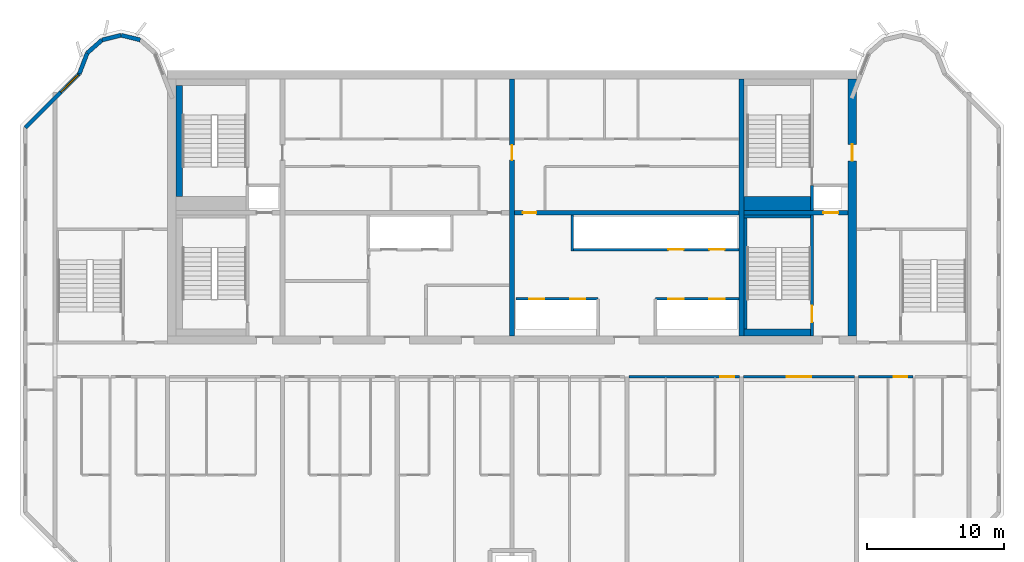
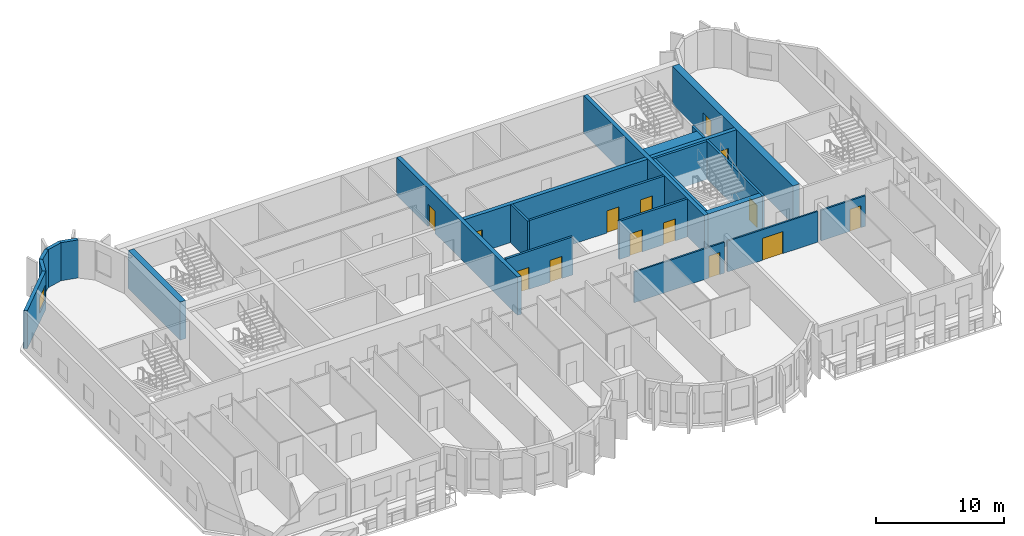
# One storey, part 6 of 11: 24 walls, 14 doors, 1 window, 15 openings.
"""IFC4 building model written with IfcOpenShell, lengths in metres."""

from ifc_helpers import new_model, si_unit, direction, frame, frame_2d, origin, place, context, subcontext, project, spatial, rectangle, extrude, source, transform, mapped, material, layer, layer_set, type_object, element, fill, save


model = new_model("IFC4")

# Units and contexts
model_context = context("Model", 3, precision=1e-05, world=origin(), true_north=direction((0.0, 1.0)))
body_context = subcontext(model_context, "Body", "Model", "MODEL_VIEW")
ifc_project = project(units=[si_unit("LENGTHUNIT", "METRE"), si_unit("AREAUNIT", "SQUARE_METRE"), si_unit("VOLUMEUNIT", "CUBIC_METRE"), si_unit("PLANEANGLEUNIT", "RADIAN"), si_unit("MASSUNIT", "GRAM", prefix="KILO")], contexts=[model_context])

# Site, building, storey
site_placement = place(None, origin())
site = spatial("IfcSite", under=ifc_project, at=site_placement, CompositionType="ELEMENT")
building_placement = place(site_placement, origin())
building = spatial("IfcBuilding", under=site, at=building_placement, Name="Vanashikhar Sky Hotel", CompositionType="ELEMENT")
storey_placement = place(building_placement, frame((0.0, 0.0, 229.60009765625)))
storey = spatial("IfcBuildingStorey", under=building, at=storey_placement, Name="L55", CompositionType="ELEMENT", Elevation=229.60009765625)

# Wall, opening, door
ifc_material_1 = material(Name="Concrete M60", Category="concrete")
ifc_layer_1 = layer(ifc_material_1, 0.60009765625)
ifc_layer_set_1 = layer_set([ifc_layer_1], Name="RC core shell wall 600 Concrete M60")
wall_type_1 = type_object("IfcWallType", Name="RC core shell wall 600 Concrete M60", PredefinedType="SHEAR", material=ifc_layer_set_1)
shared_shape_1 = source(origin(), body_context, "Body", "SweptSolid", [
    extrude(rectangle(XDim=18.7998046875, YDim=0.60009765625, at=frame_2d((9.39990234375, 0.0))), origin(), (0.0, 0.0, 1.0), 3.619873046875),
])
wall_1_placement = place(storey_placement, frame((75.300048828125, 22.60009765625, 0.0), z_axis=(0.0, 0.0, 1.0), x_axis=(0.0, 1.0, 0.0)))
wall_1 = element("IfcWall", 1, at=wall_1_placement, inside=storey, type_object=wall_type_1, Name="KW-L55-KE", PredefinedType="SHEAR", context=body_context, shape_type="MappedRepresentation", body=[
    mapped(shared_shape_1, transform((0.0, 0.0, 0.0), scale=1.0)),
])
shared_shape_2 = source(origin(), body_context, "Body", "SweptSolid", [
    extrude(rectangle(XDim=1.199951171875, YDim=2.10009765625, at=frame_2d((0.60009765625, 1.050048828125))), frame((0.0, 0.31005859375, 0.0), z_axis=(0.0, -1.0, 0.0), x_axis=(1.0, 0.0, 0.0)), (0.0, 0.0, 1.0), 0.6201171875),
])
opening_1_placement = place(wall_1_placement, frame((12.800048828125, 0.0, 0.0)))
opening_1 = element("IfcOpeningElement", 2, at=opening_1_placement, cuts=wall_1, Name="Opening DC-4-D", PredefinedType="OPENING", context=body_context, shape_type="MappedRepresentation", body=[
    mapped(shared_shape_2, transform((0.0, 0.0, 0.0), scale=1.0)),
])
ifc_material_2 = material(Name="Steel", Category="steel")
door_type_1 = type_object("IfcDoorType", Name="Service door 1200 FD120", OperationType="NOTDEFINED", PredefinedType="DOOR", material=ifc_material_2)
shared_shape_3 = source(origin(), body_context, "Body", "SweptSolid", [
    extrude(rectangle(XDim=1.199951171875, YDim=2.10009765625, at=frame_2d((0.60009765625, 1.050048828125))), frame((0.0, 0.02490234375, 0.0), z_axis=(0.0, -1.0, 0.0), x_axis=(1.0, 0.0, 0.0)), (0.0, 0.0, 1.0), 0.050048828125),
])
door_1_placement = place(opening_1_placement, origin())
door_1 = element("IfcDoor", 3, at=door_1_placement, inside=storey, type_object=door_type_1, Name="Service door 1200 FD120", OperationType="SINGLE_SWING_RIGHT", OverallHeight=2.10009765625, OverallWidth=1.199951171875, PredefinedType="DOOR", context=body_context, shape_type="MappedRepresentation", body=[
    mapped(shared_shape_3, transform((0.0, 0.0, 0.0), scale=1.0)),
])
fill(opening_1, door_1)

ifc_layer_2 = layer(ifc_material_1, 0.35009765625)
ifc_layer_set_2 = layer_set([ifc_layer_2], Name="RC core inner wall 350 Concrete M60")
wall_type_2 = type_object("IfcWallType", Name="RC core inner wall 350 Concrete M60", PredefinedType="SHEAR", material=ifc_layer_set_2)
shared_shape_4 = source(origin(), body_context, "Body", "SweptSolid", [
    extrude(rectangle(XDim=18.7998046875, YDim=0.35009765625, at=frame_2d((9.39990234375, 0.0))), origin(), (0.0, 0.0, 1.0), 3.619873046875),
])
wall_2_placement = place(storey_placement, frame((50.39990234375, 22.60009765625, 0.0), z_axis=(0.0, 0.0, 1.0), x_axis=(0.0, 1.0, 0.0)))
wall_2 = element("IfcWall", 4, at=wall_2_placement, inside=storey, type_object=wall_type_2, Name="KW-L55-KX2", PredefinedType="SHEAR", context=body_context, shape_type="MappedRepresentation", body=[
    mapped(shared_shape_4, transform((0.0, 0.0, 0.0), scale=1.0)),
])
shared_shape_5 = source(origin(), body_context, "Body", "SweptSolid", [
    extrude(rectangle(XDim=1.10009765625, YDim=2.10009765625, at=frame_2d((0.550048828125, 1.050048828125))), frame((0.0, 0.18505859375, 0.0), z_axis=(0.0, -1.0, 0.0), x_axis=(1.0, 0.0, 0.0)), (0.0, 0.0, 1.0), 0.3701171875),
])
opening_2_placement = place(wall_2_placement, frame((12.85009765625, 0.0, 0.0)))
opening_2 = element("IfcOpeningElement", 5, at=opening_2_placement, cuts=wall_2, Name="Opening DC-4-C", PredefinedType="OPENING", context=body_context, shape_type="MappedRepresentation", body=[
    mapped(shared_shape_5, transform((0.0, 0.0, 0.0), scale=1.0)),
])
door_type_2 = type_object("IfcDoorType", Name="Service door 1100 FD60", OperationType="NOTDEFINED", PredefinedType="DOOR", material=ifc_material_2)
shared_shape_6 = source(origin(), body_context, "Body", "SweptSolid", [
    extrude(rectangle(XDim=1.10009765625, YDim=2.10009765625, at=frame_2d((0.550048828125, 1.050048828125))), frame((0.0, 0.02490234375, 0.0), z_axis=(0.0, -1.0, 0.0), x_axis=(1.0, 0.0, 0.0)), (0.0, 0.0, 1.0), 0.050048828125),
])
door_2_placement = place(opening_2_placement, origin())
door_2 = element("IfcDoor", 6, at=door_2_placement, inside=storey, type_object=door_type_2, Name="Service door 1100 FD60", OperationType="SINGLE_SWING_LEFT", OverallHeight=2.10009765625, OverallWidth=1.10009765625, PredefinedType="DOOR", context=body_context, shape_type="MappedRepresentation", body=[
    mapped(shared_shape_6, transform((0.0, 0.0, 0.0), scale=1.0)),
])
fill(opening_2, door_2)

# Wall
wall_3_placement = place(storey_placement, frame((67.199951171875, 22.60009765625, 0.0), z_axis=(0.0, 0.0, 1.0), x_axis=(0.0, 1.0, 0.0)))
element("IfcWall", 7, at=wall_3_placement, inside=storey, type_object=wall_type_2, Name="KW-L55-KX3", PredefinedType="SHEAR", context=body_context, shape_type="MappedRepresentation", body=[
    mapped(shared_shape_4, transform((0.0, 0.0, 0.0), scale=1.0)),
])

# Wall, opening, door
shared_shape_7 = source(origin(), body_context, "Body", "SweptSolid", [
    extrude(rectangle(XDim=7.625, YDim=0.35009765625, at=frame_2d((3.8125, 0.0))), origin(), (0.0, 0.0, 1.0), 3.619873046875),
])
wall_4_placement = place(storey_placement, frame((67.375, 31.60009765625, 0.0), z_axis=(0.0, 0.0, 1.0), x_axis=(1.0, 0.0, 0.0)))
wall_4 = element("IfcWall", 8, at=wall_4_placement, inside=storey, type_object=wall_type_2, Name="KW-L55-KY4", PredefinedType="SHEAR", context=body_context, shape_type="MappedRepresentation", body=[
    mapped(shared_shape_7, transform((0.0, 0.0, 0.0), scale=1.0)),
])
opening_3_placement = place(wall_4_placement, frame((5.800048828125, 0.0, 0.0)))
opening_3 = element("IfcOpeningElement", 9, at=opening_3_placement, cuts=wall_4, Name="Opening LD", PredefinedType="OPENING", context=body_context, shape_type="MappedRepresentation", body=[
    mapped(shared_shape_5, transform((0.0, 0.0, 0.0), scale=1.0)),
])
ifc_material_3 = material(Name="Stainless steel", Category="steel")
door_type_3 = type_object("IfcDoorType", Name="Lift landing door 1100", OperationType="NOTDEFINED", PredefinedType="DOOR", material=ifc_material_3)
door_3_placement = place(opening_3_placement, origin())
door_3 = element("IfcDoor", 10, at=door_3_placement, inside=storey, type_object=door_type_3, Name="Lift landing door 1100", OperationType="SLIDING_TO_LEFT", OverallHeight=2.10009765625, OverallWidth=1.10009765625, PredefinedType="DOOR", context=body_context, shape_type="MappedRepresentation", body=[
    mapped(shared_shape_6, transform((0.0, 0.0, 0.0), scale=1.0)),
])
fill(opening_3, door_3)

shared_shape_8 = source(origin(), body_context, "Body", "SweptSolid", [
    extrude(rectangle(XDim=16.449951171875, YDim=0.35009765625, at=frame_2d((8.22509765625, 0.0))), origin(), (0.0, 0.0, 1.0), 3.619873046875),
])
wall_5_placement = place(storey_placement, frame((50.574951171875, 31.60009765625, 0.0), z_axis=(0.0, 0.0, 1.0), x_axis=(1.0, 0.0, 0.0)))
wall_5 = element("IfcWall", 11, at=wall_5_placement, inside=storey, type_object=wall_type_2, Name="KW-L55-KY3", PredefinedType="SHEAR", context=body_context, shape_type="MappedRepresentation", body=[
    mapped(shared_shape_8, transform((0.0, 0.0, 0.0), scale=1.0)),
])
shared_shape_9 = source(origin(), body_context, "Body", "SweptSolid", [
    extrude(rectangle(XDim=1.0, YDim=2.10009765625, at=frame_2d((0.5, 1.050048828125))), frame((0.0, 0.18505859375, 0.0), z_axis=(0.0, -1.0, 0.0), x_axis=(1.0, 0.0, 0.0)), (0.0, 0.0, 1.0), 0.3701171875),
])
opening_4_placement = place(wall_5_placement, frame((0.613037109375, 0.0, 0.0)))
opening_4 = element("IfcOpeningElement", 12, at=opening_4_placement, cuts=wall_5, Name="Opening DC-4", PredefinedType="OPENING", context=body_context, shape_type="MappedRepresentation", body=[
    mapped(shared_shape_9, transform((0.0, 0.0, 0.0), scale=1.0)),
])
door_type_4 = type_object("IfcDoorType", Name="Service door 1000 FD60", OperationType="NOTDEFINED", PredefinedType="DOOR", material=ifc_material_2)
shared_shape_10 = source(origin(), body_context, "Body", "SweptSolid", [
    extrude(rectangle(XDim=1.0, YDim=2.10009765625, at=frame_2d((0.5, 1.050048828125))), frame((0.0, 0.02490234375, 0.0), z_axis=(0.0, -1.0, 0.0), x_axis=(1.0, 0.0, 0.0)), (0.0, 0.0, 1.0), 0.050048828125),
])
door_4_placement = place(opening_4_placement, origin())
door_4 = element("IfcDoor", 13, at=door_4_placement, inside=storey, type_object=door_type_4, Name="Service door 1000 FD60", OperationType="SINGLE_SWING_RIGHT", OverallHeight=2.10009765625, OverallWidth=1.0, PredefinedType="DOOR", context=body_context, shape_type="MappedRepresentation", body=[
    mapped(shared_shape_10, transform((0.0, 0.0, 0.0), scale=1.0)),
])
fill(opening_4, door_4)

# Wall, opening, window
ifc_material_4 = material(Name="Concrete M50", Category="concrete")
ifc_layer_3 = layer(ifc_material_4, 0.300048828125)
ifc_layer_set_3 = layer_set([ifc_layer_3], Name="Lobe wall 300")
wall_type_3 = type_object("IfcWallType", Name="Lobe wall 300", PredefinedType="SOLIDWALL", material=ifc_layer_set_3)
shared_shape_11 = source(origin(), body_context, "Body", "SweptSolid", [
    extrude(rectangle(XDim=5.576416015625, YDim=0.300048828125, at=frame_2d((2.7880859375, 0.0))), origin(), (0.0, 0.0, 1.0), 3.619873046875),
])
wall_6_placement = place(storey_placement, frame((18.7431640625, 41.77734375, 0.0), z_axis=(0.0, 0.0, 1.0), x_axis=(-0.707106781187, -0.707106781187, 0.0)))
wall_6 = element("IfcWall", 14, at=wall_6_placement, inside=storey, type_object=wall_type_3, Name="Corner wall", PredefinedType="SOLIDWALL", context=body_context, shape_type="MappedRepresentation", body=[
    mapped(shared_shape_11, transform((0.0, 0.0, 0.0), scale=1.0)),
])
shared_shape_12 = source(origin(), body_context, "Body", "SweptSolid", [
    extrude(rectangle(XDim=1.800048828125, YDim=1.5, at=frame_2d((0.89990234375, 0.75))), frame((0.0, 0.16015625, 0.0), z_axis=(0.0, -1.0, 0.0), x_axis=(1.0, 0.0, 0.0)), (0.0, 0.0, 1.0), 0.320068359375),
])
opening_5_placement = place(wall_6_placement, frame((0.117919921875, 0.0, 0.89990234375)))
opening_5 = element("IfcOpeningElement", 15, at=opening_5_placement, cuts=wall_6, Name="Opening WN-4", PredefinedType="OPENING", context=body_context, shape_type="MappedRepresentation", body=[
    mapped(shared_shape_12, transform((0.0, 0.0, 0.0), scale=1.0)),
])
ifc_material_5 = material(Name="Glass", Category="glass")
window_type = type_object("IfcWindowType", Name="Corner window 1800 x 1500", PartitioningType="SINGLE_PANEL", PredefinedType="WINDOW", material=ifc_material_5)
shared_shape_13 = source(origin(), body_context, "Body", "SweptSolid", [
    extrude(rectangle(XDim=1.800048828125, YDim=1.5, at=frame_2d((0.89990234375, 0.75))), frame((0.0, 0.030029296875, 0.0), z_axis=(0.0, -1.0, 0.0), x_axis=(1.0, 0.0, 0.0)), (0.0, 0.0, 1.0), 0.06005859375),
])
window_placement = place(opening_5_placement, origin())
window = element("IfcWindow", 16, at=window_placement, inside=storey, type_object=window_type, Name="Window WN-4", OverallHeight=1.5, OverallWidth=1.800048828125, PartitioningType="SINGLE_PANEL", PredefinedType="WINDOW", context=body_context, shape_type="MappedRepresentation", body=[
    mapped(shared_shape_13, transform((0.0, 0.0, 0.0), scale=1.0)),
])
fill(opening_5, window)

# Walls
shared_shape_14 = source(origin(), body_context, "Body", "SweptSolid", [
    extrude(rectangle(XDim=1.4384765625, YDim=0.300048828125, at=frame_2d((0.71923828125, 0.0))), origin(), (0.0, 0.0, 1.0), 3.619873046875),
])
wall_7_placement = place(storey_placement, frame((23.197021484375, 44.2451171875, 0.0), z_axis=(0.0, 0.0, 1.0), x_axis=(-0.971152283879, 0.238460146601, 0.0)))
element("IfcWall", 17, at=wall_7_placement, inside=storey, type_object=wall_type_3, Name="Lobe wall", PredefinedType="SOLIDWALL", context=body_context, shape_type="MappedRepresentation", body=[
    mapped(shared_shape_14, transform((0.0, 0.0, 0.0), scale=1.0)),
])
shared_shape_15 = source(origin(), body_context, "Body", "SweptSolid", [
    extrude(rectangle(XDim=1.438720703125, YDim=0.300048828125, at=frame_2d((0.71923828125, 0.0))), origin(), (0.0, 0.0, 1.0), 3.619873046875),
])
wall_8_placement = place(storey_placement, frame((21.800048828125, 44.588134765625, 0.0), z_axis=(0.0, 0.0, 1.0), x_axis=(-0.971161932466, -0.238420848351, 0.0)))
element("IfcWall", 18, at=wall_8_placement, inside=storey, type_object=wall_type_3, Name="Lobe wall", PredefinedType="SOLIDWALL", context=body_context, shape_type="MappedRepresentation", body=[
    mapped(shared_shape_15, transform((0.0, 0.0, 0.0), scale=1.0)),
])
shared_shape_16 = source(origin(), body_context, "Body", "SweptSolid", [
    extrude(rectangle(XDim=1.43994140625, YDim=0.300048828125, at=frame_2d((0.719970703125, 0.0))), origin(), (0.0, 0.0, 1.0), 3.619873046875),
])
wall_9_placement = place(storey_placement, frame((20.40283203125, 44.2451171875, 0.0), z_axis=(0.0, 0.0, 1.0), x_axis=(-0.74957555648, -0.661918790432, 0.0)))
element("IfcWall", 19, at=wall_9_placement, inside=storey, type_object=wall_type_3, Name="Lobe wall", PredefinedType="SOLIDWALL", context=body_context, shape_type="MappedRepresentation", body=[
    mapped(shared_shape_16, transform((0.0, 0.0, 0.0), scale=1.0)),
])
shared_shape_17 = source(origin(), body_context, "Body", "SweptSolid", [
    extrude(rectangle(XDim=1.6220703125, YDim=0.300048828125, at=frame_2d((0.81103515625, 0.0))), origin(), (0.0, 0.0, 1.0), 3.619873046875),
])
wall_10_placement = place(storey_placement, frame((19.323486328125, 43.2919921875, 0.0), z_axis=(0.0, 0.0, 1.0), x_axis=(-0.357778527068, -0.933806471154, 0.0)))
element("IfcWall", 20, at=wall_10_placement, inside=storey, type_object=wall_type_3, Name="Lobe wall", PredefinedType="SOLIDWALL", context=body_context, shape_type="MappedRepresentation", body=[
    mapped(shared_shape_17, transform((0.0, 0.0, 0.0), scale=1.0)),
])

# Wall, openings, doors
ifc_material_6 = material(Name="Concrete M40", Category="concrete")
ifc_layer_4 = layer(ifc_material_6, 0.199951171875)
ifc_layer_set_4 = layer_set([ifc_layer_4], Name="Shaft wall 200")
wall_type_4 = type_object("IfcWallType", Name="Shaft wall 200", PredefinedType="SOLIDWALL", material=ifc_layer_set_4)
shared_shape_18 = source(origin(), body_context, "Body", "SweptSolid", [
    extrude(rectangle(XDim=6.0, YDim=0.199951171875, at=frame_2d((3.0, 0.0))), origin(), (0.0, 0.0, 1.0), 3.619873046875),
])
wall_11_placement = place(storey_placement, frame((56.699951171875, 25.300048828125, 0.0), z_axis=(0.0, 0.0, 1.0), x_axis=(-1.0, 0.0, 0.0)))
wall_11 = element("IfcWall", 21, at=wall_11_placement, inside=storey, type_object=wall_type_4, Name="Shaft wall 200", PredefinedType="SOLIDWALL", context=body_context, shape_type="MappedRepresentation", body=[
    mapped(shared_shape_18, transform((0.0, 0.0, 0.0), scale=1.0)),
])
shared_shape_19 = source(origin(), body_context, "Body", "SweptSolid", [
    extrude(rectangle(XDim=1.10009765625, YDim=2.10009765625, at=frame_2d((0.550048828125, 1.050048828125))), frame((0.0, 0.10986328125, 0.0), z_axis=(0.0, -1.0, 0.0), x_axis=(1.0, 0.0, 0.0)), (0.0, 0.0, 1.0), 0.219970703125),
])
opening_6_placement = place(wall_11_placement, frame((0.949951171875, 0.0, 0.0)))
opening_6 = element("IfcOpeningElement", 22, at=opening_6_placement, cuts=wall_11, Name="Opening LD", PredefinedType="OPENING", context=body_context, shape_type="MappedRepresentation", body=[
    mapped(shared_shape_19, transform((0.0, 0.0, 0.0), scale=1.0)),
])
opening_7_placement = place(wall_11_placement, frame((3.949951171875, 0.0, 0.0)))
opening_7 = element("IfcOpeningElement", 23, at=opening_7_placement, cuts=wall_11, Name="Opening LD", PredefinedType="OPENING", context=body_context, shape_type="MappedRepresentation", body=[
    mapped(shared_shape_19, transform((0.0, 0.0, 0.0), scale=1.0)),
])
door_5_placement = place(opening_6_placement, origin())
door_5 = element("IfcDoor", 24, at=door_5_placement, inside=storey, type_object=door_type_3, Name="Lift landing door 1100", OperationType="SLIDING_TO_RIGHT", OverallHeight=2.10009765625, OverallWidth=1.10009765625, PredefinedType="DOOR", context=body_context, shape_type="MappedRepresentation", body=[
    mapped(shared_shape_6, transform((0.0, 0.0, 0.0), scale=1.0)),
])
fill(opening_6, door_5)
door_6_placement = place(opening_7_placement, origin())
door_6 = element("IfcDoor", 25, at=door_6_placement, inside=storey, type_object=door_type_3, Name="Lift landing door 1100", OperationType="SLIDING_TO_LEFT", OverallHeight=2.10009765625, OverallWidth=1.10009765625, PredefinedType="DOOR", context=body_context, shape_type="MappedRepresentation", body=[
    mapped(shared_shape_6, transform((0.0, 0.0, 0.0), scale=1.0)),
])
fill(opening_7, door_6)

# Wall
shared_shape_20 = source(origin(), body_context, "Body", "SweptSolid", [
    extrude(rectangle(XDim=2.625, YDim=0.199951171875, at=frame_2d((1.3125, 0.0))), origin(), (0.0, 0.0, 1.0), 3.619873046875),
])
wall_12_placement = place(storey_placement, frame((54.800048828125, 28.800048828125, 0.0), z_axis=(0.0, 0.0, 1.0), x_axis=(0.0, 1.0, 0.0)))
element("IfcWall", 26, at=wall_12_placement, inside=storey, type_object=wall_type_4, Name="Shaft wall 200", PredefinedType="SOLIDWALL", context=body_context, shape_type="MappedRepresentation", body=[
    mapped(shared_shape_20, transform((0.0, 0.0, 0.0), scale=1.0)),
])

# Wall, openings, doors
shared_shape_21 = source(origin(), body_context, "Body", "SweptSolid", [
    extrude(rectangle(XDim=6.125, YDim=0.199951171875, at=frame_2d((3.0625, 0.0))), origin(), (0.0, 0.0, 1.0), 3.619873046875),
])
wall_13_placement = place(storey_placement, frame((67.02490234375, 25.300048828125, 0.0), z_axis=(0.0, 0.0, 1.0), x_axis=(-1.0, 0.0, 0.0)))
wall_13 = element("IfcWall", 27, at=wall_13_placement, inside=storey, type_object=wall_type_4, Name="Shaft wall 200", PredefinedType="SOLIDWALL", context=body_context, shape_type="MappedRepresentation", body=[
    mapped(shared_shape_21, transform((0.0, 0.0, 0.0), scale=1.0)),
])
opening_8_placement = place(wall_13_placement, frame((1.074951171875, 0.0, 0.0)))
opening_8 = element("IfcOpeningElement", 28, at=opening_8_placement, cuts=wall_13, Name="Opening LD", PredefinedType="OPENING", context=body_context, shape_type="MappedRepresentation", body=[
    mapped(shared_shape_19, transform((0.0, 0.0, 0.0), scale=1.0)),
])
opening_9_placement = place(wall_13_placement, frame((4.074951171875, 0.0, 0.0)))
opening_9 = element("IfcOpeningElement", 29, at=opening_9_placement, cuts=wall_13, Name="Opening LD", PredefinedType="OPENING", context=body_context, shape_type="MappedRepresentation", body=[
    mapped(shared_shape_19, transform((0.0, 0.0, 0.0), scale=1.0)),
])
door_7_placement = place(opening_8_placement, origin())
door_7 = element("IfcDoor", 30, at=door_7_placement, inside=storey, type_object=door_type_3, Name="Lift landing door 1100", OperationType="SLIDING_TO_RIGHT", OverallHeight=2.10009765625, OverallWidth=1.10009765625, PredefinedType="DOOR", context=body_context, shape_type="MappedRepresentation", body=[
    mapped(shared_shape_6, transform((0.0, 0.0, 0.0), scale=1.0)),
])
fill(opening_8, door_7)
door_8_placement = place(opening_9_placement, origin())
door_8 = element("IfcDoor", 31, at=door_8_placement, inside=storey, type_object=door_type_3, Name="Lift landing door 1100", OperationType="SLIDING_TO_LEFT", OverallHeight=2.10009765625, OverallWidth=1.10009765625, PredefinedType="DOOR", context=body_context, shape_type="MappedRepresentation", body=[
    mapped(shared_shape_6, transform((0.0, 0.0, 0.0), scale=1.0)),
])
fill(opening_9, door_8)

shared_shape_22 = source(origin(), body_context, "Body", "SweptSolid", [
    extrude(rectangle(XDim=12.125, YDim=0.199951171875, at=frame_2d((6.0625, 0.0))), origin(), (0.0, 0.0, 1.0), 3.619873046875),
])
wall_14_placement = place(storey_placement, frame((67.02490234375, 28.89990234375, 0.0), z_axis=(0.0, 0.0, 1.0), x_axis=(-1.0, 0.0, 0.0)))
wall_14 = element("IfcWall", 32, at=wall_14_placement, inside=storey, type_object=wall_type_4, Name="Shaft wall 200", PredefinedType="SOLIDWALL", context=body_context, shape_type="MappedRepresentation", body=[
    mapped(shared_shape_22, transform((0.0, 0.0, 0.0), scale=1.0)),
])
opening_10_placement = place(wall_14_placement, frame((1.074951171875, 0.0, 0.0)))
opening_10 = element("IfcOpeningElement", 33, at=opening_10_placement, cuts=wall_14, Name="Opening LD", PredefinedType="OPENING", context=body_context, shape_type="MappedRepresentation", body=[
    mapped(shared_shape_19, transform((0.0, 0.0, 0.0), scale=1.0)),
])
opening_11_placement = place(wall_14_placement, frame((4.074951171875, 0.0, 0.0)))
opening_11 = element("IfcOpeningElement", 34, at=opening_11_placement, cuts=wall_14, Name="Opening LD", PredefinedType="OPENING", context=body_context, shape_type="MappedRepresentation", body=[
    mapped(shared_shape_19, transform((0.0, 0.0, 0.0), scale=1.0)),
])
door_9_placement = place(opening_10_placement, origin())
door_9 = element("IfcDoor", 35, at=door_9_placement, inside=storey, type_object=door_type_3, Name="Lift landing door 1100", OperationType="SLIDING_TO_RIGHT", OverallHeight=2.10009765625, OverallWidth=1.10009765625, PredefinedType="DOOR", context=body_context, shape_type="MappedRepresentation", body=[
    mapped(shared_shape_6, transform((0.0, 0.0, 0.0), scale=1.0)),
])
fill(opening_10, door_9)
door_10_placement = place(opening_11_placement, origin())
door_10 = element("IfcDoor", 36, at=door_10_placement, inside=storey, type_object=door_type_3, Name="Lift landing door 1100", OperationType="SLIDING_TO_LEFT", OverallHeight=2.10009765625, OverallWidth=1.10009765625, PredefinedType="DOOR", context=body_context, shape_type="MappedRepresentation", body=[
    mapped(shared_shape_6, transform((0.0, 0.0, 0.0), scale=1.0)),
])
fill(opening_11, door_10)

# Wall, opening, door
ifc_layer_5 = layer(ifc_material_4, 0.199951171875)
ifc_layer_set_5 = layer_set([ifc_layer_5], Name="Stair wall 200")
wall_type_5 = type_object("IfcWallType", Name="Stair wall 200", PredefinedType="SOLIDWALL", material=ifc_layer_set_5)
shared_shape_23 = source(origin(), body_context, "Body", "SweptSolid", [
    extrude(rectangle(XDim=8.824951171875, YDim=0.199951171875, at=frame_2d((4.41259765625, 0.0))), origin(), (0.0, 0.0, 1.0), 3.619873046875),
])
wall_15_placement = place(storey_placement, frame((72.35009765625, 22.60009765625, 0.0), z_axis=(0.0, 0.0, 1.0), x_axis=(0.0, 1.0, 0.0)))
wall_15 = element("IfcWall", 37, at=wall_15_placement, inside=storey, type_object=wall_type_5, Name="Stair wall 200", PredefinedType="SOLIDWALL", context=body_context, shape_type="MappedRepresentation", body=[
    mapped(shared_shape_23, transform((0.0, 0.0, 0.0), scale=1.0)),
])
shared_shape_24 = source(origin(), body_context, "Body", "SweptSolid", [
    extrude(rectangle(XDim=1.199951171875, YDim=2.10009765625, at=frame_2d((0.60009765625, 1.050048828125))), frame((0.0, 0.10986328125, 0.0), z_axis=(0.0, -1.0, 0.0), x_axis=(1.0, 0.0, 0.0)), (0.0, 0.0, 1.0), 0.219970703125),
])
opening_12_placement = place(wall_15_placement, frame((1.0, 0.0, 0.0)))
opening_12 = element("IfcOpeningElement", 38, at=opening_12_placement, cuts=wall_15, Name="Opening DC-1", PredefinedType="OPENING", context=body_context, shape_type="MappedRepresentation", body=[
    mapped(shared_shape_24, transform((0.0, 0.0, 0.0), scale=1.0)),
])
door_type_5 = type_object("IfcDoorType", Name="Stair door 1200 FD120", OperationType="NOTDEFINED", PredefinedType="DOOR", material=ifc_material_2)
door_11_placement = place(opening_12_placement, origin())
door_11 = element("IfcDoor", 39, at=door_11_placement, inside=storey, type_object=door_type_5, Name="Stair door 1200 FD120", OperationType="SINGLE_SWING_LEFT", OverallHeight=2.10009765625, OverallWidth=1.199951171875, PredefinedType="DOOR", context=body_context, shape_type="MappedRepresentation", body=[
    mapped(shared_shape_3, transform((0.0, 0.0, 0.0), scale=1.0)),
])
fill(opening_12, door_11)

# Walls
shared_shape_25 = source(origin(), body_context, "Body", "SweptSolid", [
    extrude(rectangle(XDim=1.8251953125, YDim=0.199951171875, at=frame_2d((0.91259765625, 0.0))), origin(), (0.0, 0.0, 1.0), 3.619873046875),
])
wall_16_placement = place(storey_placement, frame((72.35009765625, 31.77490234375, 0.0), z_axis=(0.0, 0.0, 1.0), x_axis=(0.0, 1.0, 0.0)))
element("IfcWall", 40, at=wall_16_placement, inside=storey, type_object=wall_type_4, Name="Shaft wall 200", PredefinedType="SOLIDWALL", context=body_context, shape_type="MappedRepresentation", body=[
    mapped(shared_shape_25, transform((0.0, 0.0, 0.0), scale=1.0)),
])
ifc_layer_6 = layer(ifc_material_4, 0.5)
ifc_layer_set_6 = layer_set([ifc_layer_6], Name="Stair infill wall 500")
wall_type_6 = type_object("IfcWallType", Name="Stair infill wall 500", PredefinedType="SOLIDWALL", material=ifc_layer_set_6)
shared_shape_26 = source(origin(), body_context, "Body", "SweptSolid", [
    extrude(rectangle(XDim=8.099853515625, YDim=0.5, at=frame_2d((4.0498046875, 0.0))), origin(), (0.0, 0.0, 1.0), 3.619873046875),
])
wall_17_placement = place(storey_placement, frame((26.050048828125, 32.800048828125, 0.0), z_axis=(0.0, 0.0, 1.0), x_axis=(0.0, 1.0, 0.0)))
element("IfcWall", 41, at=wall_17_placement, inside=storey, type_object=wall_type_6, Name="Stair infill wall 500", PredefinedType="SOLIDWALL", context=body_context, shape_type="MappedRepresentation", body=[
    mapped(shared_shape_26, transform((0.0, 0.0, 0.0), scale=1.0)),
])
shared_shape_27 = source(origin(), body_context, "Body", "SweptSolid", [
    extrude(rectangle(XDim=4.875, YDim=0.5, at=frame_2d((2.4375, 0.0))), origin(), (0.0, 0.0, 1.0), 3.619873046875),
])
wall_18_placement = place(storey_placement, frame((67.375, 22.85009765625, 0.0), z_axis=(0.0, 0.0, 1.0), x_axis=(1.0, 0.0, 0.0)))
element("IfcWall", 42, at=wall_18_placement, inside=storey, type_object=wall_type_6, Name="Stair infill wall 500", PredefinedType="SOLIDWALL", context=body_context, shape_type="MappedRepresentation", body=[
    mapped(shared_shape_27, transform((0.0, 0.0, 0.0), scale=1.0)),
])
ifc_layer_7 = layer(ifc_material_4, 0.22509765625)
ifc_layer_set_7 = layer_set([ifc_layer_7], Name="Stair infill wall 225")
wall_type_7 = type_object("IfcWallType", Name="Stair infill wall 225", PredefinedType="SOLIDWALL", material=ifc_layer_set_7)
shared_shape_28 = source(origin(), body_context, "Body", "SweptSolid", [
    extrude(rectangle(XDim=4.875, YDim=0.22509765625, at=frame_2d((2.4375, 0.0))), origin(), (0.0, 0.0, 1.0), 3.619873046875),
])
wall_19_placement = place(storey_placement, frame((67.375, 31.31201171875, 0.0), z_axis=(0.0, 0.0, 1.0), x_axis=(1.0, 0.0, 0.0)))
element("IfcWall", 43, at=wall_19_placement, inside=storey, type_object=wall_type_7, Name="Stair infill wall 225", PredefinedType="SOLIDWALL", context=body_context, shape_type="MappedRepresentation", body=[
    mapped(shared_shape_28, transform((0.0, 0.0, 0.0), scale=1.0)),
])
shared_shape_29 = source(origin(), body_context, "Body", "SweptSolid", [
    extrude(rectangle(XDim=8.099853515625, YDim=0.22509765625, at=frame_2d((4.0498046875, 0.0))), origin(), (0.0, 0.0, 1.0), 3.619873046875),
])
wall_20_placement = place(storey_placement, frame((67.487060546875, 23.10009765625, 0.0), z_axis=(0.0, 0.0, 1.0), x_axis=(0.0, 1.0, 0.0)))
element("IfcWall", 44, at=wall_20_placement, inside=storey, type_object=wall_type_7, Name="Stair infill wall 225", PredefinedType="SOLIDWALL", context=body_context, shape_type="MappedRepresentation", body=[
    mapped(shared_shape_29, transform((0.0, 0.0, 0.0), scale=1.0)),
])
ifc_layer_8 = layer(ifc_material_4, 1.02490234375)
ifc_layer_set_8 = layer_set([ifc_layer_8], Name="Stair infill wall 1025")
wall_type_8 = type_object("IfcWallType", Name="Stair infill wall 1025", PredefinedType="SOLIDWALL", material=ifc_layer_set_8)
shared_shape_30 = source(origin(), body_context, "Body", "SweptSolid", [
    extrude(rectangle(XDim=4.875, YDim=1.02490234375, at=frame_2d((2.4375, 0.0))), origin(), (0.0, 0.0, 1.0), 3.619873046875),
])
wall_21_placement = place(storey_placement, frame((67.375, 32.287109375, 0.0), z_axis=(0.0, 0.0, 1.0), x_axis=(1.0, 0.0, 0.0)))
element("IfcWall", 45, at=wall_21_placement, inside=storey, type_object=wall_type_8, Name="Stair infill wall 1025", PredefinedType="SOLIDWALL", context=body_context, shape_type="MappedRepresentation", body=[
    mapped(shared_shape_30, transform((0.0, 0.0, 0.0), scale=1.0)),
])

# Wall, opening, door
ifc_material_7 = material(Name="Gypsum plasterboard partition")
ifc_layer_9 = layer(ifc_material_7, 0.14990234375)
ifc_layer_set_9 = layer_set([ifc_layer_9], Name="Corridor and demising partition 150")
wall_type_9 = type_object("IfcWallType", Name="Corridor and demising partition 150", PredefinedType="PARTITIONING", material=ifc_layer_set_9)
shared_shape_31 = source(origin(), body_context, "Body", "SweptSolid", [
    extrude(rectangle(XDim=3.97509765625, YDim=0.14990234375, at=frame_2d((1.987548828125, 0.0))), origin(), (0.0, 0.0, 1.0), 2.919921875),
])
wall_22_placement = place(storey_placement, frame((75.75, 19.60009765625, 0.0), z_axis=(0.0, 0.0, 1.0), x_axis=(1.0, 0.0, 0.0)))
wall_22 = element("IfcWall", 46, at=wall_22_placement, inside=storey, type_object=wall_type_9, Name="W-L55-PW042", PredefinedType="PARTITIONING", context=body_context, shape_type="MappedRepresentation", body=[
    mapped(shared_shape_31, transform((0.0, 0.0, 0.0), scale=1.0)),
])
shared_shape_32 = source(origin(), body_context, "Body", "SweptSolid", [
    extrude(rectangle(XDim=1.0, YDim=2.10009765625, at=frame_2d((0.5, 1.050048828125))), frame((0.0, 0.0849609375, 0.0), z_axis=(0.0, -1.0, 0.0), x_axis=(1.0, 0.0, 0.0)), (0.0, 0.0, 1.0), 0.169921875),
])
opening_13_placement = place(wall_22_placement, frame((2.574951171875, 0.0, 0.0)))
opening_13 = element("IfcOpeningElement", 47, at=opening_13_placement, cuts=wall_22, Name="Opening D-01", PredefinedType="OPENING", context=body_context, shape_type="MappedRepresentation", body=[
    mapped(shared_shape_32, transform((0.0, 0.0, 0.0), scale=1.0)),
])
ifc_material_8 = material(Name="Timber fire door", Category="wood")
door_type_6 = type_object("IfcDoorType", Name="Guest entry door 1000 FD30S", OperationType="NOTDEFINED", PredefinedType="DOOR", material=ifc_material_8)
door_12_placement = place(opening_13_placement, origin())
door_12 = element("IfcDoor", 48, at=door_12_placement, inside=storey, type_object=door_type_6, Name="D-L55-025", OperationType="SINGLE_SWING_RIGHT", OverallHeight=2.10009765625, OverallWidth=1.0, PredefinedType="DOOR", context=body_context, shape_type="MappedRepresentation", body=[
    mapped(shared_shape_10, transform((0.0, 0.0, 0.0), scale=1.0)),
])
fill(opening_13, door_12)

shared_shape_33 = source(origin(), body_context, "Body", "SweptSolid", [
    extrude(rectangle(XDim=8.099853515625, YDim=0.14990234375, at=frame_2d((4.0498046875, 0.0))), origin(), (0.0, 0.0, 1.0), 2.919921875),
])
wall_23_placement = place(storey_placement, frame((67.35009765625, 19.60009765625, 0.0), z_axis=(0.0, 0.0, 1.0), x_axis=(1.0, 0.0, 0.0)))
wall_23 = element("IfcWall", 49, at=wall_23_placement, inside=storey, type_object=wall_type_9, Name="W-L55-PW039", PredefinedType="PARTITIONING", context=body_context, shape_type="MappedRepresentation", body=[
    mapped(shared_shape_33, transform((0.0, 0.0, 0.0), scale=1.0)),
])
shared_shape_34 = source(origin(), body_context, "Body", "SweptSolid", [
    extrude(rectangle(XDim=1.800048828125, YDim=2.10009765625, at=frame_2d((0.89990234375, 1.050048828125))), frame((0.0, 0.0849609375, 0.0), z_axis=(0.0, -1.0, 0.0), x_axis=(1.0, 0.0, 0.0)), (0.0, 0.0, 1.0), 0.169921875),
])
opening_14_placement = place(wall_23_placement, frame((3.14990234375, 0.0, 0.0)))
opening_14 = element("IfcOpeningElement", 50, at=opening_14_placement, cuts=wall_23, Name="Opening D-03", PredefinedType="OPENING", context=body_context, shape_type="MappedRepresentation", body=[
    mapped(shared_shape_34, transform((0.0, 0.0, 0.0), scale=1.0)),
])
door_type_7 = type_object("IfcDoorType", Name="Double leaf door 1800 FD30S", OperationType="NOTDEFINED", PredefinedType="DOOR", material=ifc_material_8)
shared_shape_35 = source(origin(), body_context, "Body", "SweptSolid", [
    extrude(rectangle(XDim=1.800048828125, YDim=2.10009765625, at=frame_2d((0.89990234375, 1.050048828125))), frame((0.0, 0.02490234375, 0.0), z_axis=(0.0, -1.0, 0.0), x_axis=(1.0, 0.0, 0.0)), (0.0, 0.0, 1.0), 0.050048828125),
])
door_13_placement = place(opening_14_placement, origin())
door_13 = element("IfcDoor", 51, at=door_13_placement, inside=storey, type_object=door_type_7, Name="D-L55-023", OperationType="DOUBLE_DOOR_SINGLE_SWING", OverallHeight=2.10009765625, OverallWidth=1.800048828125, PredefinedType="DOOR", context=body_context, shape_type="MappedRepresentation", body=[
    mapped(shared_shape_35, transform((0.0, 0.0, 0.0), scale=1.0)),
])
fill(opening_14, door_13)

shared_shape_36 = source(origin(), body_context, "Body", "SweptSolid", [
    extrude(rectangle(XDim=8.10009765625, YDim=0.14990234375, at=frame_2d((4.050048828125, 0.0))), origin(), (0.0, 0.0, 1.0), 2.919921875),
])
wall_24_placement = place(storey_placement, frame((58.949951171875, 19.60009765625, 0.0), z_axis=(0.0, 0.0, 1.0), x_axis=(1.0, 0.0, 0.0)))
wall_24 = element("IfcWall", 52, at=wall_24_placement, inside=storey, type_object=wall_type_9, Name="W-L55-PW038", PredefinedType="PARTITIONING", context=body_context, shape_type="MappedRepresentation", body=[
    mapped(shared_shape_36, transform((0.0, 0.0, 0.0), scale=1.0)),
])
opening_15_placement = place(wall_24_placement, frame((6.699951171875, 0.0, 0.0)))
opening_15 = element("IfcOpeningElement", 53, at=opening_15_placement, cuts=wall_24, Name="Opening D-01", PredefinedType="OPENING", context=body_context, shape_type="MappedRepresentation", body=[
    mapped(shared_shape_32, transform((0.0, 0.0, 0.0), scale=1.0)),
])
door_14_placement = place(opening_15_placement, origin())
door_14 = element("IfcDoor", 54, at=door_14_placement, inside=storey, type_object=door_type_6, Name="D-L55-022", OperationType="SINGLE_SWING_RIGHT", OverallHeight=2.10009765625, OverallWidth=1.0, PredefinedType="DOOR", context=body_context, shape_type="MappedRepresentation", body=[
    mapped(shared_shape_10, transform((0.0, 0.0, 0.0), scale=1.0)),
])
fill(opening_15, door_14)

save(model, "model.ifc")
